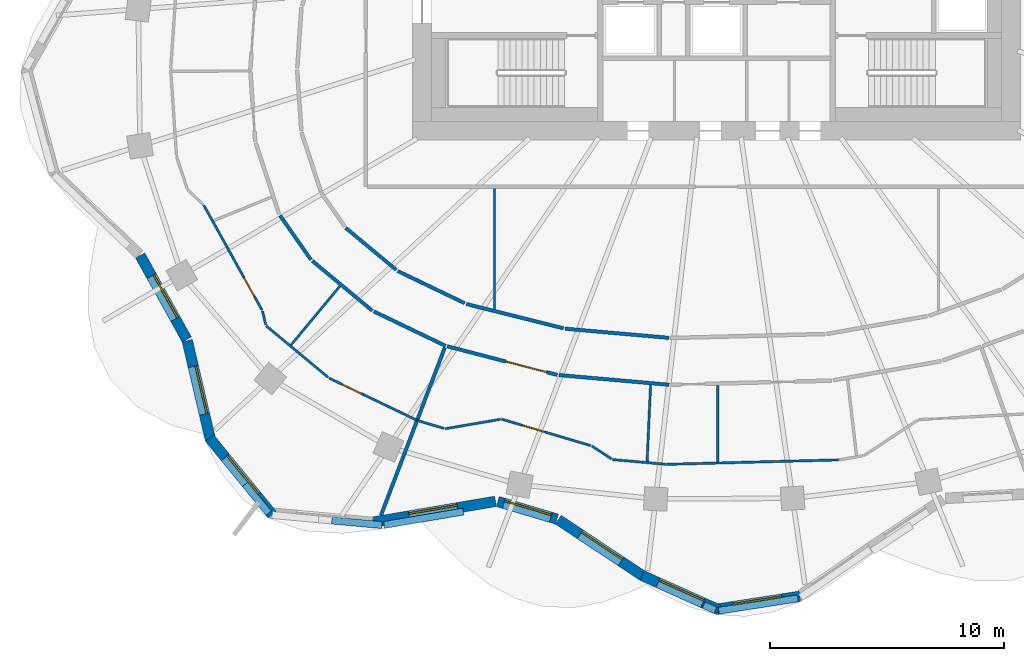
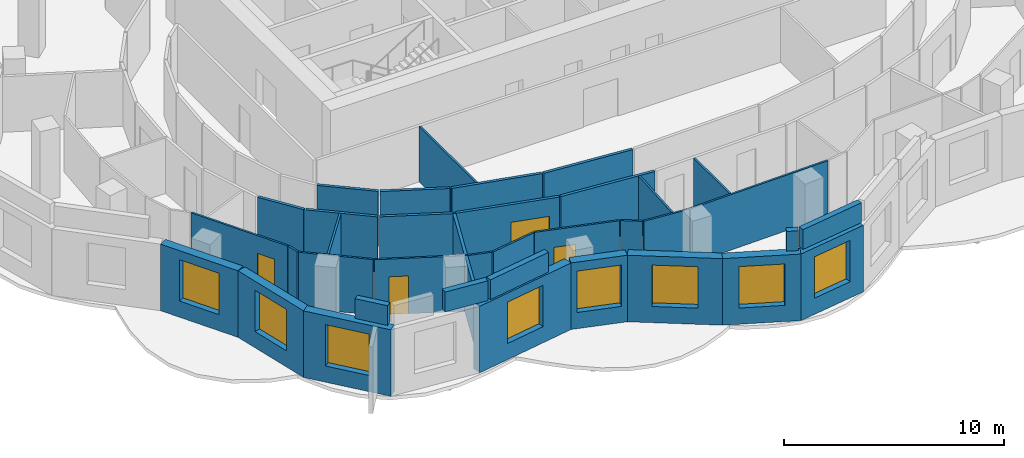
# One storey, part 3 of 11: 37 walls, 8 windows, 4 doors, 12 openings.
"""IFC4 building model written with IfcOpenShell, lengths in metres."""

from ifc_helpers import new_model, si_unit, direction, frame, frame_2d, origin, place, context, subcontext, project, spatial, rectangle, extrude, material, layer, layer_set, type_object, element, fill, save


model = new_model("IFC4")

# Units and contexts
model_context = context("Model", 3, precision=1e-05, world=origin(), true_north=direction((0.0, 1.0)))
body_context = subcontext(model_context, "Body", "Model", "MODEL_VIEW")
ifc_project = project(units=[si_unit("LENGTHUNIT", "METRE"), si_unit("AREAUNIT", "SQUARE_METRE"), si_unit("VOLUMEUNIT", "CUBIC_METRE"), si_unit("PLANEANGLEUNIT", "RADIAN"), si_unit("MASSUNIT", "GRAM", prefix="KILO")], contexts=[model_context])

# Site, building, storey
site_placement = place(None, origin())
site = spatial("IfcSite", under=ifc_project, at=site_placement, CompositionType="ELEMENT")
building_placement = place(site_placement, origin())
building = spatial("IfcBuilding", under=site, at=building_placement, Name="Rubra Terraces Tower", CompositionType="ELEMENT")
storey_placement = place(building_placement, frame((0.0, 0.0, 185.699951171875)))
storey = spatial("IfcBuildingStorey", under=building, at=storey_placement, Name="L45", CompositionType="ELEMENT", Elevation=185.699951171875)

# Wall, opening, window
ifc_material_1 = material(Name="Brick masonry red-brown", Category="masonry")
ifc_layer_1 = layer(ifc_material_1, 0.449951171875)
ifc_layer_set_1 = layer_set([ifc_layer_1], Name="Brick masonry red-brown")
wall_type_1 = type_object("IfcWallType", Name="Brick facade wall 450", PredefinedType="SOLIDWALL", material=ifc_layer_set_1)
wall_1_placement = place(storey_placement, frame((-24.662109375, -7.93896484375, 0.0), z_axis=(0.0, 0.0, 1.0), x_axis=(0.485153910721, -0.874428775208, 0.0)))
wall_1 = element("IfcWall", 1, at=wall_1_placement, inside=storey, type_object=wall_type_1, Name="Facade wall L45 bay 23", PredefinedType="SOLIDWALL", context=body_context, shape_type="SweptSolid", body=[
    extrude(rectangle(XDim=4.1123046875, YDim=0.449951171875, at=frame_2d((2.05615234375, 0.0))), origin(), (0.0, 0.0, 1.0), 3.699951171875),
])
opening_1_placement = place(wall_1_placement, frame((1.006103515625, 0.0, 0.89990234375)))
opening_1 = element("IfcOpeningElement", 2, at=opening_1_placement, cuts=wall_1, Name="Opening W1B", PredefinedType="OPENING", context=body_context, shape_type="SweptSolid", body=[
    extrude(rectangle(XDim=2.10009765625, YDim=2.300048828125, at=frame_2d((1.050048828125, 1.14990234375))), frame((0.0, 0.23486328125, 0.0), z_axis=(0.0, -1.0, 0.0), x_axis=(1.0, 0.0, 0.0)), (0.0, 0.0, 1.0), 0.469970703125),
])
ifc_material_2 = material(Name="Clear glass in aluminium frame", Category="aluminium")
window_type = type_object("IfcWindowType", Name="Fixed deep-set window tall storey 2100 x 2300", PartitioningType="SINGLE_PANEL", PredefinedType="WINDOW", material=ifc_material_2)
window_1_placement = place(opening_1_placement, origin())
window_1 = element("IfcWindow", 3, at=window_1_placement, inside=storey, type_object=window_type, Name="Window L45 bay 23", OverallHeight=2.300048828125, OverallWidth=2.10009765625, PartitioningType="SINGLE_PANEL", PredefinedType="WINDOW", context=body_context, shape_type="SweptSolid", body=[
    extrude(rectangle(XDim=2.10009765625, YDim=2.300048828125, at=frame_2d((1.050048828125, 1.14990234375))), frame((0.0, 0.135009765625, 0.0), z_axis=(0.0, -1.0, 0.0), x_axis=(1.0, 0.0, 0.0)), (0.0, 0.0, 1.0), 0.06005859375),
])
fill(opening_1, window_1)

wall_2_placement = place(storey_placement, frame((-22.646484375, -11.5859375, 0.0), z_axis=(0.0, 0.0, 1.0), x_axis=(0.227925124198, -0.973678662475, 0.0)))
wall_2 = element("IfcWall", 4, at=wall_2_placement, inside=storey, type_object=wall_type_1, Name="Facade wall L45 bay 24", PredefinedType="SOLIDWALL", context=body_context, shape_type="SweptSolid", body=[
    extrude(rectangle(XDim=4.360595703125, YDim=0.449951171875, at=frame_2d((2.18017578125, 0.0))), origin(), (0.0, 0.0, 1.0), 3.699951171875),
])
opening_2_placement = place(wall_2_placement, frame((1.13037109375, 0.0, 0.89990234375)))
opening_2 = element("IfcOpeningElement", 5, at=opening_2_placement, cuts=wall_2, Name="Opening W1B", PredefinedType="OPENING", context=body_context, shape_type="SweptSolid", body=[
    extrude(rectangle(XDim=2.10009765625, YDim=2.300048828125, at=frame_2d((1.050048828125, 1.14990234375))), frame((0.0, 0.23486328125, 0.0), z_axis=(0.0, -1.0, 0.0), x_axis=(1.0, 0.0, 0.0)), (0.0, 0.0, 1.0), 0.469970703125),
])
window_2_placement = place(opening_2_placement, origin())
window_2 = element("IfcWindow", 6, at=window_2_placement, inside=storey, type_object=window_type, Name="Window L45 bay 24", OverallHeight=2.300048828125, OverallWidth=2.10009765625, PartitioningType="SINGLE_PANEL", PredefinedType="WINDOW", context=body_context, shape_type="SweptSolid", body=[
    extrude(rectangle(XDim=2.10009765625, YDim=2.300048828125, at=frame_2d((1.050048828125, 1.14990234375))), frame((0.0, 0.135009765625, 0.0), z_axis=(0.0, -1.0, 0.0), x_axis=(1.0, 0.0, 0.0)), (0.0, 0.0, 1.0), 0.06005859375),
])
fill(opening_2, window_2)

wall_3_placement = place(storey_placement, frame((-21.69580078125, -15.74755859375, 0.0), z_axis=(0.0, 0.0, 1.0), x_axis=(0.632968710519, -0.774177377288, 0.0)))
wall_3 = element("IfcWall", 7, at=wall_3_placement, inside=storey, type_object=wall_type_1, Name="Facade wall L45 bay 25", PredefinedType="SOLIDWALL", context=body_context, shape_type="SweptSolid", body=[
    extrude(rectangle(XDim=4.249755859375, YDim=0.449951171875, at=frame_2d((2.125, 0.0))), origin(), (0.0, 0.0, 1.0), 3.699951171875),
])
opening_3_placement = place(wall_3_placement, frame((1.074951171875, 0.0, 0.89990234375)))
opening_3 = element("IfcOpeningElement", 8, at=opening_3_placement, cuts=wall_3, Name="Opening W1B", PredefinedType="OPENING", context=body_context, shape_type="SweptSolid", body=[
    extrude(rectangle(XDim=2.10009765625, YDim=2.300048828125, at=frame_2d((1.050048828125, 1.14990234375))), frame((0.0, 0.23486328125, 0.0), z_axis=(0.0, -1.0, 0.0), x_axis=(1.0, 0.0, 0.0)), (0.0, 0.0, 1.0), 0.469970703125),
])
window_3_placement = place(opening_3_placement, origin())
window_3 = element("IfcWindow", 9, at=window_3_placement, inside=storey, type_object=window_type, Name="Window L45 bay 25", OverallHeight=2.300048828125, OverallWidth=2.10009765625, PartitioningType="SINGLE_PANEL", PredefinedType="WINDOW", context=body_context, shape_type="SweptSolid", body=[
    extrude(rectangle(XDim=2.10009765625, YDim=2.300048828125, at=frame_2d((1.050048828125, 1.14990234375))), frame((0.0, 0.135009765625, 0.0), z_axis=(0.0, -1.0, 0.0), x_axis=(1.0, 0.0, 0.0)), (0.0, 0.0, 1.0), 0.06005859375),
])
fill(opening_3, window_3)

wall_4_placement = place(storey_placement, frame((-14.78173828125, -19.366943359375, 0.0), z_axis=(0.0, 0.0, 1.0), x_axis=(0.98585584667, 0.167595493934, 0.0)))
wall_4 = element("IfcWall", 10, at=wall_4_placement, inside=storey, type_object=wall_type_1, Name="Facade wall L45 bay 27", PredefinedType="SOLIDWALL", context=body_context, shape_type="SweptSolid", body=[
    extrude(rectangle(XDim=5.398681640625, YDim=0.449951171875, at=frame_2d((2.69921875, 0.0))), origin(), (0.0, 0.0, 1.0), 3.699951171875),
])
opening_4_placement = place(wall_4_placement, frame((1.6494140625, 0.0, 0.89990234375)))
opening_4 = element("IfcOpeningElement", 11, at=opening_4_placement, cuts=wall_4, Name="Opening W1B", PredefinedType="OPENING", context=body_context, shape_type="SweptSolid", body=[
    extrude(rectangle(XDim=2.10009765625, YDim=2.300048828125, at=frame_2d((1.050048828125, 1.14990234375))), frame((0.0, 0.23486328125, 0.0), z_axis=(0.0, -1.0, 0.0), x_axis=(1.0, 0.0, 0.0)), (0.0, 0.0, 1.0), 0.469970703125),
])
window_4_placement = place(opening_4_placement, origin())
window_4 = element("IfcWindow", 12, at=window_4_placement, inside=storey, type_object=window_type, Name="Window L45 bay 27", OverallHeight=2.300048828125, OverallWidth=2.10009765625, PartitioningType="SINGLE_PANEL", PredefinedType="WINDOW", context=body_context, shape_type="SweptSolid", body=[
    extrude(rectangle(XDim=2.10009765625, YDim=2.300048828125, at=frame_2d((1.050048828125, 1.14990234375))), frame((0.0, 0.135009765625, 0.0), z_axis=(0.0, -1.0, 0.0), x_axis=(1.0, 0.0, 0.0)), (0.0, 0.0, 1.0), 0.06005859375),
])
fill(opening_4, window_4)

wall_5_placement = place(storey_placement, frame((-9.357421875, -18.468505859375, 0.0), z_axis=(0.0, 0.0, 1.0), x_axis=(0.958524054629, -0.285011643091, 0.0)))
wall_5 = element("IfcWall", 13, at=wall_5_placement, inside=storey, type_object=wall_type_1, Name="Facade wall L45 bay 28", PredefinedType="SOLIDWALL", context=body_context, shape_type="SweptSolid", body=[
    extrude(rectangle(XDim=2.637451171875, YDim=0.449951171875, at=frame_2d((1.31884765625, 0.0))), origin(), (0.0, 0.0, 1.0), 3.699951171875),
])
opening_5_placement = place(wall_5_placement, frame((0.268798828125, 0.0, 0.89990234375)))
opening_5 = element("IfcOpeningElement", 14, at=opening_5_placement, cuts=wall_5, Name="Opening W1B", PredefinedType="OPENING", context=body_context, shape_type="SweptSolid", body=[
    extrude(rectangle(XDim=2.10009765625, YDim=2.300048828125, at=frame_2d((1.050048828125, 1.14990234375))), frame((0.0, 0.23486328125, 0.0), z_axis=(0.0, -1.0, 0.0), x_axis=(1.0, 0.0, 0.0)), (0.0, 0.0, 1.0), 0.469970703125),
])
window_5_placement = place(opening_5_placement, origin())
window_5 = element("IfcWindow", 15, at=window_5_placement, inside=storey, type_object=window_type, Name="Window L45 bay 28", OverallHeight=2.300048828125, OverallWidth=2.10009765625, PartitioningType="SINGLE_PANEL", PredefinedType="WINDOW", context=body_context, shape_type="SweptSolid", body=[
    extrude(rectangle(XDim=2.10009765625, YDim=2.300048828125, at=frame_2d((1.050048828125, 1.14990234375))), frame((0.0, 0.135009765625, 0.0), z_axis=(0.0, -1.0, 0.0), x_axis=(1.0, 0.0, 0.0)), (0.0, 0.0, 1.0), 0.06005859375),
])
fill(opening_5, window_5)

wall_6_placement = place(storey_placement, frame((-6.76904296875, -19.248291015625, 0.0), z_axis=(0.0, 0.0, 1.0), x_axis=(0.832973379274, -0.553313066375, 0.0)))
wall_6 = element("IfcWall", 16, at=wall_6_placement, inside=storey, type_object=wall_type_1, Name="Facade wall L45 bay 29", PredefinedType="SOLIDWALL", context=body_context, shape_type="SweptSolid", body=[
    extrude(rectangle(XDim=4.348388671875, YDim=0.449951171875, at=frame_2d((2.17431640625, 0.0))), origin(), (0.0, 0.0, 1.0), 3.699951171875),
])
opening_6_placement = place(wall_6_placement, frame((1.1240234375, 0.0, 0.89990234375)))
opening_6 = element("IfcOpeningElement", 17, at=opening_6_placement, cuts=wall_6, Name="Opening W1B", PredefinedType="OPENING", context=body_context, shape_type="SweptSolid", body=[
    extrude(rectangle(XDim=2.10009765625, YDim=2.300048828125, at=frame_2d((1.050048828125, 1.14990234375))), frame((0.0, 0.23486328125, 0.0), z_axis=(0.0, -1.0, 0.0), x_axis=(1.0, 0.0, 0.0)), (0.0, 0.0, 1.0), 0.469970703125),
])
window_6_placement = place(opening_6_placement, origin())
window_6 = element("IfcWindow", 18, at=window_6_placement, inside=storey, type_object=window_type, Name="Window L45 bay 29", OverallHeight=2.300048828125, OverallWidth=2.10009765625, PartitioningType="SINGLE_PANEL", PredefinedType="WINDOW", context=body_context, shape_type="SweptSolid", body=[
    extrude(rectangle(XDim=2.10009765625, YDim=2.300048828125, at=frame_2d((1.050048828125, 1.14990234375))), frame((0.0, 0.135009765625, 0.0), z_axis=(0.0, -1.0, 0.0), x_axis=(1.0, 0.0, 0.0)), (0.0, 0.0, 1.0), 0.06005859375),
])
fill(opening_6, window_6)

wall_7_placement = place(storey_placement, frame((-3.179443359375, -21.63623046875, 0.0), z_axis=(0.0, 0.0, 1.0), x_axis=(0.912608353595, -0.40883492139, 0.0)))
wall_7 = element("IfcWall", 19, at=wall_7_placement, inside=storey, type_object=wall_type_1, Name="Facade wall L45 bay 30", PredefinedType="SOLIDWALL", context=body_context, shape_type="SweptSolid", body=[
    extrude(rectangle(XDim=3.584716796875, YDim=0.449951171875, at=frame_2d((1.79248046875, 0.0))), origin(), (0.0, 0.0, 1.0), 3.699951171875),
])
opening_7_placement = place(wall_7_placement, frame((0.7421875, 0.0, 0.89990234375)))
opening_7 = element("IfcOpeningElement", 20, at=opening_7_placement, cuts=wall_7, Name="Opening W1B", PredefinedType="OPENING", context=body_context, shape_type="SweptSolid", body=[
    extrude(rectangle(XDim=2.10009765625, YDim=2.300048828125, at=frame_2d((1.050048828125, 1.14990234375))), frame((0.0, 0.23486328125, 0.0), z_axis=(0.0, -1.0, 0.0), x_axis=(1.0, 0.0, 0.0)), (0.0, 0.0, 1.0), 0.469970703125),
])
window_7_placement = place(opening_7_placement, origin())
window_7 = element("IfcWindow", 21, at=window_7_placement, inside=storey, type_object=window_type, Name="Window L45 bay 30", OverallHeight=2.300048828125, OverallWidth=2.10009765625, PartitioningType="SINGLE_PANEL", PredefinedType="WINDOW", context=body_context, shape_type="SweptSolid", body=[
    extrude(rectangle(XDim=2.10009765625, YDim=2.300048828125, at=frame_2d((1.050048828125, 1.14990234375))), frame((0.0, 0.135009765625, 0.0), z_axis=(0.0, -1.0, 0.0), x_axis=(1.0, 0.0, 0.0)), (0.0, 0.0, 1.0), 0.06005859375),
])
fill(opening_7, window_7)

wall_8_placement = place(storey_placement, frame((-0.03466796875, -23.084716796875, 0.0), z_axis=(0.0, 0.0, 1.0), x_axis=(0.988133637562, 0.153596596054, 0.0)))
wall_8 = element("IfcWall", 22, at=wall_8_placement, inside=storey, type_object=wall_type_1, Name="Facade wall L45 bay 31", PredefinedType="SOLIDWALL", context=body_context, shape_type="SweptSolid", body=[
    extrude(rectangle(XDim=3.646240234375, YDim=0.449951171875, at=frame_2d((1.8232421875, 0.0))), origin(), (0.0, 0.0, 1.0), 3.699951171875),
])
opening_8_placement = place(wall_8_placement, frame((0.773193359375, 0.0, 0.89990234375)))
opening_8 = element("IfcOpeningElement", 23, at=opening_8_placement, cuts=wall_8, Name="Opening W1B", PredefinedType="OPENING", context=body_context, shape_type="SweptSolid", body=[
    extrude(rectangle(XDim=2.10009765625, YDim=2.300048828125, at=frame_2d((1.050048828125, 1.14990234375))), frame((0.0, 0.23486328125, 0.0), z_axis=(0.0, -1.0, 0.0), x_axis=(1.0, 0.0, 0.0)), (0.0, 0.0, 1.0), 0.469970703125),
])
window_8_placement = place(opening_8_placement, origin())
window_8 = element("IfcWindow", 24, at=window_8_placement, inside=storey, type_object=window_type, Name="Window L45 bay 31", OverallHeight=2.300048828125, OverallWidth=2.10009765625, PartitioningType="SINGLE_PANEL", PredefinedType="WINDOW", context=body_context, shape_type="SweptSolid", body=[
    extrude(rectangle(XDim=2.10009765625, YDim=2.300048828125, at=frame_2d((1.050048828125, 1.14990234375))), frame((0.0, 0.135009765625, 0.0), z_axis=(0.0, -1.0, 0.0), x_axis=(1.0, 0.0, 0.0)), (0.0, 0.0, 1.0), 0.06005859375),
])
fill(opening_8, window_8)

# Walls
ifc_layer_2 = layer(ifc_material_1, 0.300048828125)
ifc_layer_set_2 = layer_set([ifc_layer_2], Name="Brick masonry red-brown")
wall_type_2 = type_object("IfcWallType", Name="Brick parapet 300", PredefinedType="PARAPET", material=ifc_layer_set_2)
wall_9_placement = place(storey_placement, frame((-20.16845703125, -17.734130859375, 3.900146484375), z_axis=(0.0, 0.0, 1.0), x_axis=(0.632995189145, -0.774155727564, 0.0)))
element("IfcWall", 25, at=wall_9_placement, inside=storey, type_object=wall_type_2, Name="Parapet L45 bay 25", PredefinedType="PARAPET", context=body_context, shape_type="SweptSolid", body=[
    extrude(rectangle(XDim=1.58935546875, YDim=0.300048828125, at=frame_2d((0.794677734375, 0.0))), origin(), (0.0, 0.0, 1.0), 1.099853515625),
])
wall_10_placement = place(storey_placement, frame((-16.461669921875, -19.27978515625, 3.900146484375), z_axis=(0.0, 0.0, 1.0), x_axis=(0.995778015376, -0.091794030816, 0.0)))
element("IfcWall", 26, at=wall_10_placement, inside=storey, type_object=wall_type_2, Name="Parapet L45 bay 26.2", PredefinedType="PARAPET", context=body_context, shape_type="SweptSolid", body=[
    extrude(rectangle(XDim=2.151611328125, YDim=0.300048828125, at=frame_2d((1.07568359375, 0.0))), origin(), (0.0, 0.0, 1.0), 1.099853515625),
])
wall_11_placement = place(storey_placement, frame((-14.220947265625, -19.473388671875, 3.900146484375), z_axis=(0.0, 0.0, 1.0), x_axis=(0.985864880964, 0.167542342353, 0.0)))
element("IfcWall", 27, at=wall_11_placement, inside=storey, type_object=wall_type_2, Name="Parapet L45 bay 27", PredefinedType="PARAPET", context=body_context, shape_type="SweptSolid", body=[
    extrude(rectangle(XDim=3.4375, YDim=0.300048828125, at=frame_2d((1.71875, 0.0))), origin(), (0.0, 0.0, 1.0), 1.099853515625),
])
wall_12_placement = place(storey_placement, frame((-0.54541015625, -22.898193359375, 3.900146484375), z_axis=(0.0, 0.0, 1.0), x_axis=(0.912497815069, -0.409081578044, 0.0)))
element("IfcWall", 28, at=wall_12_placement, inside=storey, type_object=wall_type_2, Name="Parapet L45 bay 30", PredefinedType="PARAPET", context=body_context, shape_type="SweptSolid", body=[
    extrude(rectangle(XDim=0.546142578125, YDim=0.300048828125, at=frame_2d((0.27294921875, 0.0))), origin(), (0.0, 0.0, 1.0), 1.099853515625),
])
wall_13_placement = place(storey_placement, frame((0.09423828125, -23.140380859375, 3.900146484375), z_axis=(0.0, 0.0, 1.0), x_axis=(0.988150084887, 0.153490748056, 0.0)))
element("IfcWall", 29, at=wall_13_placement, inside=storey, type_object=wall_type_2, Name="Parapet L45 bay 31", PredefinedType="PARAPET", context=body_context, shape_type="SweptSolid", body=[
    extrude(rectangle(XDim=3.42919921875, YDim=0.300048828125, at=frame_2d((1.714599609375, 0.0))), origin(), (0.0, 0.0, 1.0), 1.099853515625),
])
ifc_material_3 = material(Name="Plasterboard on steel stud, mineral wool infill", Category="steel")
ifc_layer_3 = layer(ifc_material_3, 0.14990234375)
ifc_layer_set_3 = layer_set([ifc_layer_3], Name="Plasterboard on steel stud, mineral wool infill")
wall_type_3 = type_object("IfcWallType", Name="CORRIDOR PARTITION 150", PredefinedType="PARTITIONING", material=ifc_layer_set_3)
wall_14_placement = place(storey_placement, frame((-18.673828125, -6.231689453125, 0.0), z_axis=(0.0, 0.0, 1.0), x_axis=(0.572118665737, -0.820170855563, 0.0)))
element("IfcWall", 30, at=wall_14_placement, inside=storey, type_object=wall_type_3, Name="PARTITION", PredefinedType="PARTITIONING", context=body_context, shape_type="SweptSolid", body=[
    extrude(rectangle(XDim=2.30615234375, YDim=0.14990234375, at=frame_2d((1.153076171875, 0.0))), origin(), (0.0, 0.0, 1.0), 3.083984375),
])
wall_15_placement = place(storey_placement, frame((-17.296875, -8.1708984375, 0.0), z_axis=(0.0, 0.0, 1.0), x_axis=(0.769228575061, -0.638973707839, 0.0)))
element("IfcWall", 31, at=wall_15_placement, inside=storey, type_object=wall_type_3, Name="PARTITION", PredefinedType="PARTITIONING", context=body_context, shape_type="SweptSolid", body=[
    extrude(rectangle(XDim=3.33447265625, YDim=0.14990234375, at=frame_2d((1.667236328125, 0.0))), origin(), (0.0, 0.0, 1.0), 3.083984375),
])
wall_16_placement = place(storey_placement, frame((-14.664306640625, -10.333984375, 0.0), z_axis=(0.0, 0.0, 1.0), x_axis=(0.901500664489, -0.43277771653, 0.0)))
element("IfcWall", 32, at=wall_16_placement, inside=storey, type_object=wall_type_3, Name="PARTITION", PredefinedType="PARTITIONING", context=body_context, shape_type="SweptSolid", body=[
    extrude(rectangle(XDim=3.40283203125, YDim=0.14990234375, at=frame_2d((1.701416015625, 0.0))), origin(), (0.0, 0.0, 1.0), 3.083984375),
])

# Wall, opening, door
wall_17_placement = place(storey_placement, frame((-11.52392578125, -11.825439453125, 0.0), z_axis=(0.0, 0.0, 1.0), x_axis=(0.967712002698, -0.252058484948, 0.0)))
wall_17 = element("IfcWall", 33, at=wall_17_placement, inside=storey, type_object=wall_type_3, Name="PARTITION", PredefinedType="PARTITIONING", context=body_context, shape_type="SweptSolid", body=[
    extrude(rectangle(XDim=4.8681640625, YDim=0.14990234375, at=frame_2d((2.43408203125, 0.0))), origin(), (0.0, 0.0, 1.0), 3.083984375),
])
opening_9_placement = place(wall_17_placement, frame((2.60009765625, 0.0, 0.0)))
opening_9 = element("IfcOpeningElement", 34, at=opening_9_placement, cuts=wall_17, Name="Opening 45-107", PredefinedType="OPENING", context=body_context, shape_type="SweptSolid", body=[
    extrude(rectangle(XDim=1.800048828125, YDim=2.10009765625, at=frame_2d((0.89990234375, 1.050048828125))), frame((0.0, 0.0849609375, 0.0), z_axis=(0.0, -1.0, 0.0), x_axis=(1.0, 0.0, 0.0)), (0.0, 0.0, 1.0), 0.169921875),
])
ifc_material_4 = material(Name="Painted timber door leaf, double", Category="wood")
door_type_1 = type_object("IfcDoorType", Name="ROOM DOUBLE DOOR 1800 X 2100", OperationType="DOUBLE_DOOR_SINGLE_SWING", PredefinedType="DOOR", material=ifc_material_4)
door_1_placement = place(opening_9_placement, origin())
door_1 = element("IfcDoor", 35, at=door_1_placement, inside=storey, type_object=door_type_1, Name="DOOR 45-107", OperationType="DOUBLE_DOOR_SINGLE_SWING", OverallHeight=2.10009765625, OverallWidth=1.800048828125, PredefinedType="DOOR", context=body_context, shape_type="SweptSolid", body=[
    extrude(rectangle(XDim=1.800048828125, YDim=2.10009765625, at=frame_2d((0.89990234375, 1.050048828125))), frame((0.0, 0.02490234375, 0.0), z_axis=(0.0, -1.0, 0.0), x_axis=(1.0, 0.0, 0.0)), (0.0, 0.0, 1.0), 0.050048828125),
])
fill(opening_9, door_1)

# Walls
wall_18_placement = place(storey_placement, frame((-6.73828125, -13.05908203125, 0.0), z_axis=(0.0, 0.0, 1.0), x_axis=(0.996143527037, -0.087738666181, 0.0)))
element("IfcWall", 36, at=wall_18_placement, inside=storey, type_object=wall_type_3, Name="PARTITION", PredefinedType="PARTITIONING", context=body_context, shape_type="SweptSolid", body=[
    extrude(rectangle(XDim=4.73046875, YDim=0.14990234375, at=frame_2d((2.365234375, 0.0))), origin(), (0.0, 0.0, 1.0), 3.083984375),
])
wall_19_placement = place(storey_placement, frame((-2.038818359375, -11.46533203125, 0.0), z_axis=(0.0, 0.0, 1.0), x_axis=(-0.996139855484, 0.087780341286, 0.0)))
element("IfcWall", 37, at=wall_19_placement, inside=storey, type_object=wall_type_3, Name="PARTITION", PredefinedType="PARTITIONING", context=body_context, shape_type="SweptSolid", body=[
    extrude(rectangle(XDim=4.458251953125, YDim=0.14990234375, at=frame_2d((2.22900390625, 0.0))), origin(), (0.0, 0.0, 1.0), 3.083984375),
])
wall_20_placement = place(storey_placement, frame((-6.552734375, -11.055908203125, 0.0), z_axis=(0.0, 0.0, 1.0), x_axis=(-0.970004917182, 0.243085294995, 0.0)))
element("IfcWall", 38, at=wall_20_placement, inside=storey, type_object=wall_type_3, Name="PARTITION", PredefinedType="PARTITIONING", context=body_context, shape_type="SweptSolid", body=[
    extrude(rectangle(XDim=4.284423828125, YDim=0.14990234375, at=frame_2d((2.14208984375, 0.0))), origin(), (0.0, 0.0, 1.0), 3.083984375),
])
wall_21_placement = place(storey_placement, frame((-10.7763671875, -9.981689453125, 0.0), z_axis=(0.0, 0.0, 1.0), x_axis=(-0.901511079436, 0.432756020933, 0.0)))
element("IfcWall", 39, at=wall_21_placement, inside=storey, type_object=wall_type_3, Name="PARTITION", PredefinedType="PARTITIONING", context=body_context, shape_type="SweptSolid", body=[
    extrude(rectangle(XDim=3.1806640625, YDim=0.14990234375, at=frame_2d((1.59033203125, 0.0))), origin(), (0.0, 0.0, 1.0), 3.083984375),
])
wall_22_placement = place(storey_placement, frame((-13.70166015625, -8.557373046875, 0.0), z_axis=(0.0, 0.0, 1.0), x_axis=(-0.769221825067, 0.638981833733, 0.0)))
element("IfcWall", 40, at=wall_22_placement, inside=storey, type_object=wall_type_3, Name="PARTITION", PredefinedType="PARTITIONING", context=body_context, shape_type="SweptSolid", body=[
    extrude(rectangle(XDim=2.8173828125, YDim=0.14990234375, at=frame_2d((1.40869140625, 0.0))), origin(), (0.0, 0.0, 1.0), 3.083984375),
])

# Wall, opening, door
ifc_material_5 = material(Name="Plasterboard on steel stud", Category="steel")
ifc_layer_4 = layer(ifc_material_5, 0.10009765625)
ifc_layer_set_4 = layer_set([ifc_layer_4], Name="Plasterboard on steel stud")
wall_type_4 = type_object("IfcWallType", Name="ROOM PARTITION 100", PredefinedType="PARTITIONING", material=ifc_layer_set_4)
wall_23_placement = place(storey_placement, frame((-12.82861328125, -14.98681640625, 0.0), z_axis=(0.0, 0.0, 1.0), x_axis=(-0.901501094212, 0.432776821393, 0.0)))
wall_23 = element("IfcWall", 41, at=wall_23_placement, inside=storey, type_object=wall_type_4, Name="PARTITION", PredefinedType="PARTITIONING", context=body_context, shape_type="SweptSolid", body=[
    extrude(rectangle(XDim=4.163330078125, YDim=0.10009765625, at=frame_2d((2.08154296875, 0.0))), origin(), (0.0, 0.0, 1.0), 3.083984375),
])
opening_10_placement = place(wall_23_placement, frame((2.612060546875, 0.0, 0.0)))
opening_10 = element("IfcOpeningElement", 42, at=opening_10_placement, cuts=wall_23, Name="Opening 45-106", PredefinedType="OPENING", context=body_context, shape_type="SweptSolid", body=[
    extrude(rectangle(XDim=0.89990234375, YDim=2.10009765625, at=frame_2d((0.449951171875, 1.050048828125))), frame((0.0, 0.06005859375, 0.0), z_axis=(0.0, -1.0, 0.0), x_axis=(1.0, 0.0, 0.0)), (0.0, 0.0, 1.0), 0.1201171875),
])
ifc_material_6 = material(Name="Painted timber door leaf", Category="wood")
door_type_2 = type_object("IfcDoorType", Name="ROOM DOOR 900 X 2100", OperationType="SINGLE_SWING_LEFT", PredefinedType="DOOR", material=ifc_material_6)
door_2_placement = place(opening_10_placement, origin())
door_2 = element("IfcDoor", 43, at=door_2_placement, inside=storey, type_object=door_type_2, Name="DOOR 45-106", OperationType="SINGLE_SWING_RIGHT", OverallHeight=2.10009765625, OverallWidth=0.89990234375, PredefinedType="DOOR", context=body_context, shape_type="SweptSolid", body=[
    extrude(rectangle(XDim=0.89990234375, YDim=2.10009765625, at=frame_2d((0.449951171875, 1.050048828125))), frame((0.0, 0.02490234375, 0.0), z_axis=(0.0, -1.0, 0.0), x_axis=(1.0, 0.0, 0.0)), (0.0, 0.0, 1.0), 0.050048828125),
])
fill(opening_10, door_2)

# Walls
wall_24_placement = place(storey_placement, frame((-16.6201171875, -13.153076171875, 0.0), z_axis=(0.0, 0.0, 1.0), x_axis=(-0.769221883728, 0.638981763115, 0.0)))
element("IfcWall", 44, at=wall_24_placement, inside=storey, type_object=wall_type_4, Name="PARTITION", PredefinedType="PARTITIONING", context=body_context, shape_type="SweptSolid", body=[
    extrude(rectangle(XDim=3.45654296875, YDim=0.10009765625, at=frame_2d((1.728271484375, 0.0))), origin(), (0.0, 0.0, 1.0), 3.083984375),
])
wall_25_placement = place(storey_placement, frame((-19.29052734375, -10.8955078125, 0.0), z_axis=(0.0, 0.0, 1.0), x_axis=(-0.228008771428, 0.97365907799, 0.0)))
element("IfcWall", 45, at=wall_25_placement, inside=storey, type_object=wall_type_4, Name="PARTITION", PredefinedType="PARTITIONING", context=body_context, shape_type="SweptSolid", body=[
    extrude(rectangle(XDim=0.59423828125, YDim=0.10009765625, at=frame_2d((0.297119140625, 0.0))), origin(), (0.0, 0.0, 1.0), 3.083984375),
])

# Wall, opening, door
wall_26_placement = place(storey_placement, frame((-19.4501953125, -10.273193359375, 0.0), z_axis=(0.0, 0.0, 1.0), x_axis=(-0.485137067925, 0.87443811978, 0.0)))
wall_26 = element("IfcWall", 46, at=wall_26_placement, inside=storey, type_object=wall_type_4, Name="PARTITION", PredefinedType="PARTITIONING", context=body_context, shape_type="SweptSolid", body=[
    extrude(rectangle(XDim=5.123046875, YDim=0.10009765625, at=frame_2d((2.5615234375, 0.0))), origin(), (0.0, 0.0, 1.0), 3.083984375),
])
opening_11_placement = place(wall_26_placement, frame((0.6708984375, 0.0, 0.0)))
opening_11 = element("IfcOpeningElement", 47, at=opening_11_placement, cuts=wall_26, Name="Opening 45-105", PredefinedType="OPENING", context=body_context, shape_type="SweptSolid", body=[
    extrude(rectangle(XDim=0.89990234375, YDim=2.10009765625, at=frame_2d((0.449951171875, 1.050048828125))), frame((0.0, 0.06005859375, 0.0), z_axis=(0.0, -1.0, 0.0), x_axis=(1.0, 0.0, 0.0)), (0.0, 0.0, 1.0), 0.1201171875),
])
door_3_placement = place(opening_11_placement, origin())
door_3 = element("IfcDoor", 48, at=door_3_placement, inside=storey, type_object=door_type_2, Name="DOOR 45-105", OperationType="SINGLE_SWING_LEFT", OverallHeight=2.10009765625, OverallWidth=0.89990234375, PredefinedType="DOOR", context=body_context, shape_type="SweptSolid", body=[
    extrude(rectangle(XDim=0.89990234375, YDim=2.10009765625, at=frame_2d((0.449951171875, 1.050048828125))), frame((0.0, 0.02490234375, 0.0), z_axis=(0.0, -1.0, 0.0), x_axis=(1.0, 0.0, 0.0)), (0.0, 0.0, 1.0), 0.050048828125),
])
fill(opening_11, door_3)

# Walls
wall_27_placement = place(storey_placement, frame((-16.1142578125, -9.250732421875, 0.0), z_axis=(0.0, 0.0, 1.0), x_axis=(-0.6387387217, -0.769423709929, 0.0)))
element("IfcWall", 49, at=wall_27_placement, inside=storey, type_object=wall_type_4, Name="PARTITION", PredefinedType="PARTITIONING", context=body_context, shape_type="SweptSolid", body=[
    extrude(rectangle(XDim=3.27490234375, YDim=0.10009765625, at=frame_2d((1.637451171875, 0.0))), origin(), (0.0, 0.0, 1.0), 3.083984375),
])
wall_28_placement = place(storey_placement, frame((5.2138671875, -16.687744140625, 0.0), z_axis=(0.0, 0.0, 1.0), x_axis=(-0.999664981446, -0.025882906921, 0.0)))
element("IfcWall", 50, at=wall_28_placement, inside=storey, type_object=wall_type_4, Name="PARTITION", PredefinedType="PARTITIONING", context=body_context, shape_type="SweptSolid", body=[
    extrude(rectangle(XDim=7.347900390625, YDim=0.10009765625, at=frame_2d((3.673828125, 0.0))), origin(), (0.0, 0.0, 1.0), 3.083984375),
])
wall_29_placement = place(storey_placement, frame((-2.181396484375, -16.87353515625, 0.0), z_axis=(0.0, 0.0, 1.0), x_axis=(-0.996147729226, 0.087690943421, 0.0)))
element("IfcWall", 51, at=wall_29_placement, inside=storey, type_object=wall_type_4, Name="PARTITION", PredefinedType="PARTITIONING", context=body_context, shape_type="SweptSolid", body=[
    extrude(rectangle(XDim=2.282958984375, YDim=0.10009765625, at=frame_2d((1.1416015625, 0.0))), origin(), (0.0, 0.0, 1.0), 3.083984375),
])
wall_30_placement = place(storey_placement, frame((-4.497314453125, -16.6455078125, 0.0), z_axis=(0.0, 0.0, 1.0), x_axis=(-0.832989458456, 0.55328885955, 0.0)))
element("IfcWall", 52, at=wall_30_placement, inside=storey, type_object=wall_type_4, Name="PARTITION", PredefinedType="PARTITIONING", context=body_context, shape_type="SweptSolid", body=[
    extrude(rectangle(XDim=0.99853515625, YDim=0.10009765625, at=frame_2d((0.499267578125, 0.0))), origin(), (0.0, 0.0, 1.0), 3.083984375),
])

# Wall, opening, door
wall_31_placement = place(storey_placement, frame((-5.377197265625, -16.078857421875, 0.0), z_axis=(0.0, 0.0, 1.0), x_axis=(-0.958503323659, 0.28508135424, 0.0)))
wall_31 = element("IfcWall", 53, at=wall_31_placement, inside=storey, type_object=wall_type_4, Name="PARTITION", PredefinedType="PARTITIONING", context=body_context, shape_type="SweptSolid", body=[
    extrude(rectangle(XDim=3.98388671875, YDim=0.10009765625, at=frame_2d((1.991943359375, 0.0))), origin(), (0.0, 0.0, 1.0), 3.083984375),
])
opening_12_placement = place(wall_31_placement, frame((2.068115234375, 0.0, 0.0)))
opening_12 = element("IfcOpeningElement", 54, at=opening_12_placement, cuts=wall_31, Name="Opening 45-108", PredefinedType="OPENING", context=body_context, shape_type="SweptSolid", body=[
    extrude(rectangle(XDim=1.0, YDim=2.10009765625, at=frame_2d((0.5, 1.050048828125))), frame((0.0, 0.06005859375, 0.0), z_axis=(0.0, -1.0, 0.0), x_axis=(1.0, 0.0, 0.0)), (0.0, 0.0, 1.0), 0.1201171875),
])
door_type_3 = type_object("IfcDoorType", Name="ROOM DOOR 1000 X 2100", OperationType="SINGLE_SWING_LEFT", PredefinedType="DOOR", material=ifc_material_6)
door_4_placement = place(opening_12_placement, origin())
door_4 = element("IfcDoor", 55, at=door_4_placement, inside=storey, type_object=door_type_3, Name="DOOR 45-108", OperationType="SINGLE_SWING_LEFT", OverallHeight=2.10009765625, OverallWidth=1.0, PredefinedType="DOOR", context=body_context, shape_type="SweptSolid", body=[
    extrude(rectangle(XDim=1.0, YDim=2.10009765625, at=frame_2d((0.5, 1.050048828125))), frame((0.0, 0.02490234375, 0.0), z_axis=(0.0, -1.0, 0.0), x_axis=(1.0, 0.0, 0.0)), (0.0, 0.0, 1.0), 0.050048828125),
])
fill(opening_12, door_4)

# Walls
wall_32_placement = place(storey_placement, frame((-9.2451171875, -14.95166015625, 0.0), z_axis=(0.0, 0.0, 1.0), x_axis=(-0.985850474782, -0.167627090209, 0.0)))
element("IfcWall", 56, at=wall_32_placement, inside=storey, type_object=wall_type_4, Name="PARTITION", PredefinedType="PARTITIONING", context=body_context, shape_type="SweptSolid", body=[
    extrude(rectangle(XDim=2.403076171875, YDim=0.10009765625, at=frame_2d((1.20166015625, 0.0))), origin(), (0.0, 0.0, 1.0), 3.083984375),
])
wall_33_placement = place(storey_placement, frame((-11.662109375, -15.340087890625, 0.0), z_axis=(0.0, 0.0, 1.0), x_axis=(-0.95854705676, 0.284934273083, 0.0)))
element("IfcWall", 57, at=wall_33_placement, inside=storey, type_object=wall_type_4, Name="PARTITION", PredefinedType="PARTITIONING", context=body_context, shape_type="SweptSolid", body=[
    extrude(rectangle(XDim=1.178955078125, YDim=0.10009765625, at=frame_2d((0.58935546875, 0.0))), origin(), (0.0, 0.0, 1.0), 3.083984375),
])
wall_34_placement = place(storey_placement, frame((-2.821044921875, -13.4794921875, 0.0), z_axis=(0.0, 0.0, 1.0), x_axis=(-0.045509018784, -0.998963927882, 0.0)))
element("IfcWall", 58, at=wall_34_placement, inside=storey, type_object=wall_type_4, Name="PARTITION", PredefinedType="PARTITIONING", context=body_context, shape_type="SweptSolid", body=[
    extrude(rectangle(XDim=3.27783203125, YDim=0.10009765625, at=frame_2d((1.638916015625, 0.0))), origin(), (0.0, 0.0, 1.0), 3.083984375),
])
wall_35_placement = place(storey_placement, frame((0.056884765625, -13.495361328125, 0.0), z_axis=(0.0, 0.0, 1.0), x_axis=(0.000596213935, -0.999999822264, 0.0)))
element("IfcWall", 59, at=wall_35_placement, inside=storey, type_object=wall_type_4, Name="PARTITION", PredefinedType="PARTITIONING", context=body_context, shape_type="SweptSolid", body=[
    extrude(rectangle(XDim=3.27587890625, YDim=0.10009765625, at=frame_2d((1.637939453125, 0.0))), origin(), (0.0, 0.0, 1.0), 3.083984375),
])
wall_36_placement = place(storey_placement, frame((-9.5, -10.2421875, 0.0), z_axis=(0.0, 0.0, 1.0), x_axis=(0.0, 1.0, 0.0)))
element("IfcWall", 60, at=wall_36_placement, inside=storey, type_object=wall_type_4, Name="PARTITION", PredefinedType="PARTITIONING", context=body_context, shape_type="SweptSolid", body=[
    extrude(rectangle(XDim=5.167236328125, YDim=0.10009765625, at=frame_2d((2.58349609375, 0.0))), origin(), (0.0, 0.0, 1.0), 3.083984375),
])
ifc_layer_5 = layer(ifc_material_5, 0.14990234375)
ifc_layer_set_5 = layer_set([ifc_layer_5], Name="Plasterboard on steel stud")
wall_type_5 = type_object("IfcWallType", Name="ROOM PARTITION 150", PredefinedType="PARTITIONING", material=ifc_layer_set_5)
wall_37_placement = place(storey_placement, frame((-14.358642578125, -19.062744140625, 0.0), z_axis=(0.0, 0.0, 1.0), x_axis=(0.355747085176, 0.934582265715, 0.0)))
element("IfcWall", 61, at=wall_37_placement, inside=storey, type_object=wall_type_5, Name="PARTITION", PredefinedType="PARTITIONING", context=body_context, shape_type="SweptSolid", body=[
    extrude(rectangle(XDim=7.68896484375, YDim=0.14990234375, at=frame_2d((3.844482421875, 0.0))), origin(), (0.0, 0.0, 1.0), 3.083984375),
])

save(model, "model.ifc")
